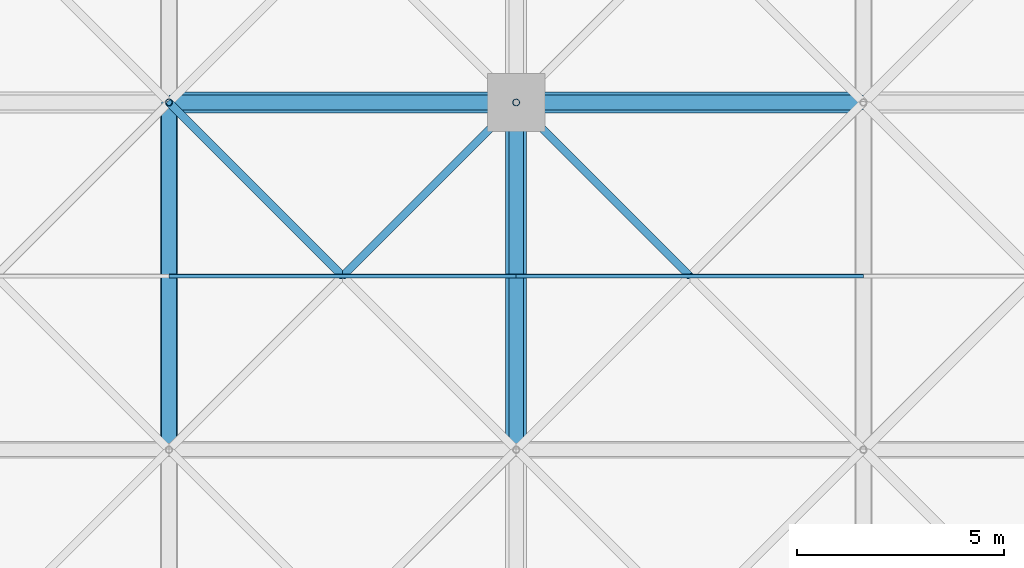
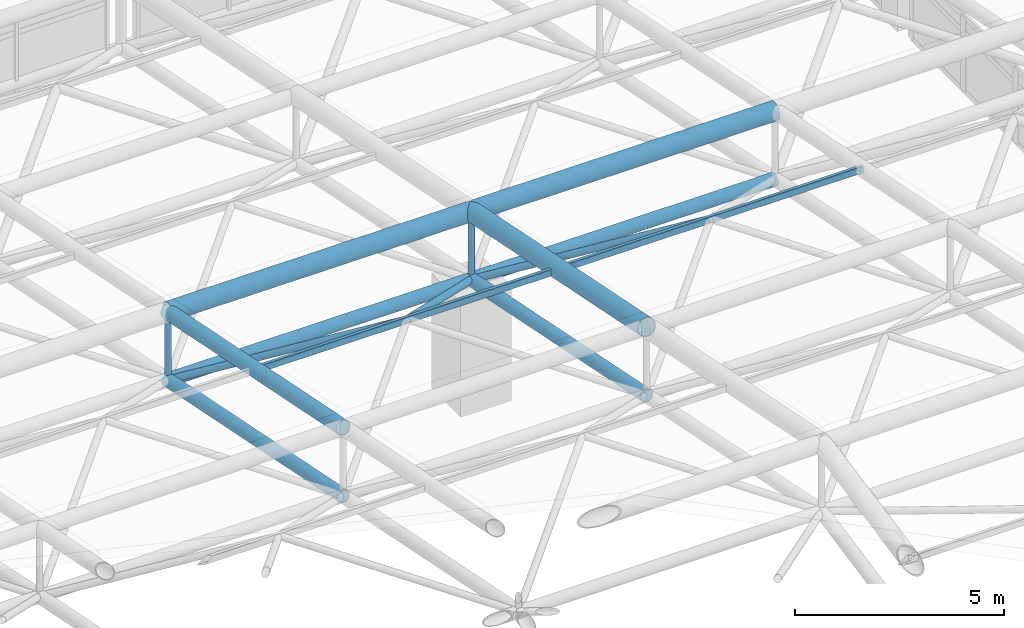
# One storey, part 63 of 110: 15 members.
"""IFC4 building model written with IfcOpenShell, lengths in metres."""

from ifc_helpers import new_model, si_unit, direction, frame, origin, origin_2d, place, context, subcontext, project, spatial, hollow_rectangle, hollow_circle, extrude, material, material_profile, profile_set, type_object, element, save


model = new_model("IFC4")

# Units and contexts
model_context = context("Model", 3, precision=1e-05, world=origin(), true_north=direction((0.0, 1.0)))
body_context = subcontext(model_context, "Body", "Model", "MODEL_VIEW")
ifc_project = project(units=[si_unit("LENGTHUNIT", "METRE"), si_unit("AREAUNIT", "SQUARE_METRE"), si_unit("VOLUMEUNIT", "CUBIC_METRE"), si_unit("PLANEANGLEUNIT", "RADIAN"), si_unit("MASSUNIT", "GRAM", prefix="KILO")], contexts=[model_context])

# Site, building, storey
site_placement = place(None, origin())
site = spatial("IfcSite", under=ifc_project, at=site_placement, CompositionType="ELEMENT")
building_placement = place(site_placement, origin())
building = spatial("IfcBuilding", under=site, at=building_placement, Name="Qawsi Khor Wholesale Market", CompositionType="ELEMENT")
storey_placement = place(building_placement, frame((0.0, 0.0, 11.39990234375)))
storey = spatial("IfcBuildingStorey", under=building, at=storey_placement, Name="L02", CompositionType="ELEMENT", Elevation=11.39990234375)

# Members
ifc_material = material(Name="Steel S355", Category="steel")
ifc_material_profile_1 = material_profile(ifc_material, hollow_circle(Radius=0.177734375, WallThickness=0.01611328125, at=origin_2d()), Name="CHS 355.6x16.0")
ifc_profile_set_1 = profile_set([ifc_material_profile_1], Name="Steel S355")
member_type_1 = type_object("IfcMemberType", Name="Space-Frame Bottom Chord CHS 355.6x16.0", PredefinedType="CHORD", material=ifc_profile_set_1)
member_1_placement = place(storey_placement, frame((193.199951171875, 84.0, 5.070068359375), z_axis=(0.0, 0.980129990483, -0.1983562496), x_axis=(-1.0, 0.0, 0.0)))
element("IfcMember", 1, at=member_1_placement, inside=storey, type_object=member_type_1, Name="Space frame bottom chord Y EH (23,10)", PredefinedType="CHORD", context=body_context, shape_type="SweptSolid", body=[
    extrude(hollow_circle(Radius=0.177734375, WallThickness=0.01611328125, at=origin_2d()), origin(), (0.0, 0.0, 1.0), 8.5703125),
])
member_2_placement = place(storey_placement, frame((193.199951171875, 92.39990234375, 3.3701171875), z_axis=(1.0, 0.0, 0.0), x_axis=(0.0, 1.0, 0.0)))
element("IfcMember", 2, at=member_2_placement, inside=storey, type_object=member_type_1, Name="Space frame bottom chord X EH (23,11)", PredefinedType="CHORD", context=body_context, shape_type="SweptSolid", body=[
    extrude(hollow_circle(Radius=0.177734375, WallThickness=0.01611328125, at=origin_2d()), origin(), (0.0, 0.0, 1.0), 8.400146484375),
])
member_3_placement = place(storey_placement, frame((201.60009765625, 84.0, 5.070068359375), z_axis=(0.0, 0.980129990483, -0.1983562496), x_axis=(-1.0, 0.0, 0.0)))
element("IfcMember", 3, at=member_3_placement, inside=storey, type_object=member_type_1, Name="Space frame bottom chord Y EH (24,10)", PredefinedType="CHORD", context=body_context, shape_type="SweptSolid", body=[
    extrude(hollow_circle(Radius=0.177734375, WallThickness=0.01611328125, at=origin_2d()), origin(), (0.0, 0.0, 1.0), 8.5703125),
])
member_4_placement = place(storey_placement, frame((201.60009765625, 92.39990234375, 3.3701171875), z_axis=(1.0, 0.0, 0.0), x_axis=(0.0, 1.0, 0.0)))
element("IfcMember", 4, at=member_4_placement, inside=storey, type_object=member_type_1, Name="Space frame bottom chord X EH (24,11)", PredefinedType="CHORD", context=body_context, shape_type="SweptSolid", body=[
    extrude(hollow_circle(Radius=0.177734375, WallThickness=0.01611328125, at=origin_2d()), origin(), (0.0, 0.0, 1.0), 8.39990234375),
])
ifc_material_profile_2 = material_profile(ifc_material, hollow_circle(Radius=0.25390625, WallThickness=0.02490234375, at=origin_2d()), Name="CHS 508.0x25.0")
ifc_profile_set_2 = profile_set([ifc_material_profile_2], Name="Steel S355")
member_type_2 = type_object("IfcMemberType", Name="Space-Frame Main Chord CHS 508.0x25.0", PredefinedType="CHORD", material=ifc_profile_set_2)
member_5_placement = place(storey_placement, frame((193.199951171875, 92.39990234375, 5.3701171875), z_axis=(1.0, 0.0, 0.0), x_axis=(0.0, 1.0, 0.0)))
element("IfcMember", 5, at=member_5_placement, inside=storey, type_object=member_type_2, Name="Space frame top chord X EH (23,11)", PredefinedType="CHORD", context=body_context, shape_type="SweptSolid", body=[
    extrude(hollow_circle(Radius=0.25390625, WallThickness=0.02490234375, at=origin_2d()), origin(), (0.0, 0.0, 1.0), 8.400146484375),
])
member_6_placement = place(storey_placement, frame((201.60009765625, 84.0, 7.070068359375), z_axis=(0.0, 0.980129990483, -0.1983562496), x_axis=(-1.0, 0.0, 0.0)))
element("IfcMember", 6, at=member_6_placement, inside=storey, type_object=member_type_2, Name="Space frame top chord Y EH (24,10)", PredefinedType="CHORD", context=body_context, shape_type="SweptSolid", body=[
    extrude(hollow_circle(Radius=0.25390625, WallThickness=0.02490234375, at=origin_2d()), origin(), (0.0, 0.0, 1.0), 8.5703125),
])
member_7_placement = place(storey_placement, frame((201.60009765625, 92.39990234375, 5.3701171875), z_axis=(1.0, 0.0, 0.0), x_axis=(0.0, 1.0, 0.0)))
element("IfcMember", 7, at=member_7_placement, inside=storey, type_object=member_type_2, Name="Space frame top chord X EH (24,11)", PredefinedType="CHORD", context=body_context, shape_type="SweptSolid", body=[
    extrude(hollow_circle(Radius=0.25390625, WallThickness=0.02490234375, at=origin_2d()), origin(), (0.0, 0.0, 1.0), 8.39990234375),
])
ifc_material_profile_3 = material_profile(ifc_material, hollow_rectangle(XDim=0.10009765625, YDim=0.199951171875, WallThickness=0.008056640625, InnerFilletRadius=0.008056640625, OuterFilletRadius=0.01611328125, at=origin_2d()), Name="RHS 200x100x8.0")
ifc_profile_set_3 = profile_set([ifc_material_profile_3], Name="Steel S355")
member_type_3 = type_object("IfcMemberType", Name="Space-Frame Purlin RHS 200x100x8.0", PredefinedType="PURLIN", material=ifc_profile_set_3)
member_8_placement = place(storey_placement, frame((193.199951171875, 88.199951171875, 6.22021484375), z_axis=(1.0, 0.0, 0.0), x_axis=(0.0, 1.0, 0.0)))
element("IfcMember", 8, at=member_8_placement, inside=storey, type_object=member_type_3, Name="Space frame purlin EH (23,10)", PredefinedType="PURLIN", context=body_context, shape_type="SweptSolid", body=[
    extrude(hollow_rectangle(XDim=0.10009765625, YDim=0.199951171875, WallThickness=0.008056640625, InnerFilletRadius=0.008056640625, OuterFilletRadius=0.01611328125, at=origin_2d()), origin(), (0.0, 0.0, 1.0), 8.400146484375),
])
member_9_placement = place(storey_placement, frame((201.60009765625, 88.199951171875, 6.22021484375), z_axis=(1.0, 0.0, 0.0), x_axis=(0.0, 1.0, 0.0)))
element("IfcMember", 9, at=member_9_placement, inside=storey, type_object=member_type_3, Name="Space frame purlin EH (24,10)", PredefinedType="PURLIN", context=body_context, shape_type="SweptSolid", body=[
    extrude(hollow_rectangle(XDim=0.10009765625, YDim=0.199951171875, WallThickness=0.008056640625, InnerFilletRadius=0.008056640625, OuterFilletRadius=0.01611328125, at=origin_2d()), origin(), (0.0, 0.0, 1.0), 8.39990234375),
])
ifc_material_profile_4 = material_profile(ifc_material, hollow_circle(Radius=0.096923828125, WallThickness=0.008056640625, at=origin_2d()), Name="CHS 193.7x8.0")
ifc_profile_set_4 = profile_set([ifc_material_profile_4], Name="Steel S355")
member_type_4 = type_object("IfcMemberType", Name="Space-Frame Secondary Diagonal CHS 193.7x8.0", PredefinedType="RAFTER", material=ifc_profile_set_4)
for number, where, z_axis, x_axis, name in (
    (10, (201.60009765625, 92.39990234375, 3.3701171875), (-0.637533737254, -0.637496679957, 0.432606884951), (0.70708622964, -0.707127332136, 0.0), "Space frame diagonal EH (23,10)-3"),
    (11, (193.199951171875, 92.39990234375, 3.3701171875), (0.637511741089, -0.637511741089, 0.432617105474), (0.707106781187, 0.707106781187, 0.0), "Space frame diagonal EH (23,10)-4"),
    (12, (201.60009765625, 92.39990234375, 3.3701171875), (0.637511741089, -0.637511741089, 0.432617105474), (0.707106781187, 0.707106781187, 0.0), "Space frame diagonal EH (24,10)-4"),
):
    element("IfcMember", number, at=place(storey_placement, frame(where, z_axis=z_axis, x_axis=x_axis)), inside=storey, type_object=member_type_4, Name=name, PredefinedType="RAFTER", context=body_context, shape_type="SweptSolid", body=[
        extrude(hollow_circle(Radius=0.096923828125, WallThickness=0.008056640625, at=origin_2d()), origin(), (0.0, 0.0, 1.0), 6.588134765625),
    ])
ifc_material_profile_5 = material_profile(ifc_material, hollow_circle(Radius=0.203125, WallThickness=0.02001953125, at=origin_2d()), Name="CHS 406.4x20.0")
ifc_profile_set_5 = profile_set([ifc_material_profile_5], Name="Steel S355")
member_type_5 = type_object("IfcMemberType", Name="Space-Frame Top Chord CHS 406.4x20.0", PredefinedType="CHORD", material=ifc_profile_set_5)
member_10_placement = place(storey_placement, frame((193.199951171875, 84.0, 7.070068359375), z_axis=(0.0, 0.980129990483, -0.1983562496), x_axis=(-1.0, 0.0, 0.0)))
element("IfcMember", 13, at=member_10_placement, inside=storey, type_object=member_type_5, Name="Space frame top chord Y EH (23,10)", PredefinedType="CHORD", context=body_context, shape_type="SweptSolid", body=[
    extrude(hollow_circle(Radius=0.203125, WallThickness=0.02001953125, at=origin_2d()), origin(), (0.0, 0.0, 1.0), 8.5703125),
])
ifc_material_profile_6 = material_profile(ifc_material, hollow_circle(Radius=0.084228515625, WallThickness=0.008056640625, at=origin_2d()), Name="CHS 168.3x8.0")
ifc_profile_set_6 = profile_set([ifc_material_profile_6], Name="Steel S355")
member_type_6 = type_object("IfcMemberType", Name="Space-Frame Vertical Strut CHS 168.3x8.0", PredefinedType="STRUT", material=ifc_profile_set_6)
for number, where, z_axis, x_axis, name in (
    (14, (193.199951171875, 92.39990234375, 3.3701171875), (0.0, 0.0, 1.0), (1.0, 0.0, 0.0), "Space frame post EH (23,11)"),
    (15, (201.60009765625, 92.39990234375, 3.3701171875), (0.0, 0.0, 1.0), (1.0, 0.0, 0.0), "Space frame post EH (24,11)"),
):
    element("IfcMember", number, at=place(storey_placement, frame(where, z_axis=z_axis, x_axis=x_axis)), inside=storey, type_object=member_type_6, Name=name, PredefinedType="STRUT", context=body_context, shape_type="SweptSolid", body=[
        extrude(hollow_circle(Radius=0.084228515625, WallThickness=0.008056640625, at=origin_2d()), origin(), (0.0, 0.0, 1.0), 2.0),
    ])

save(model, "model.ifc")
